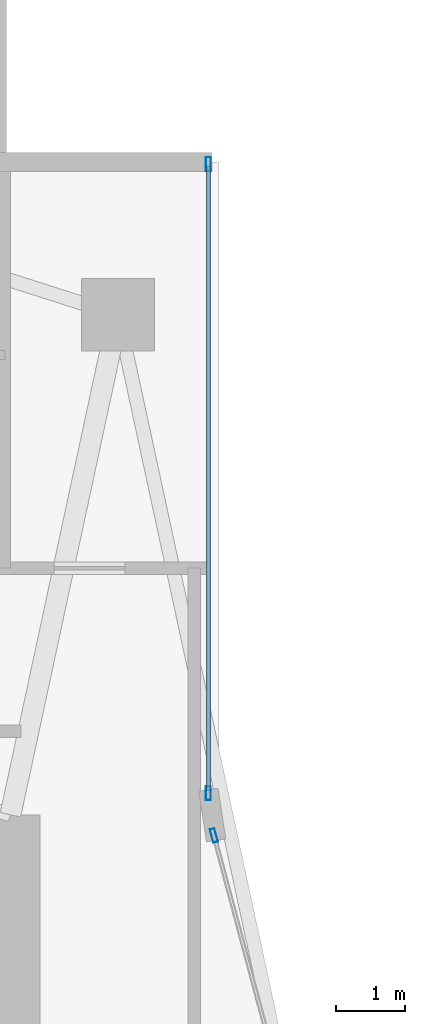
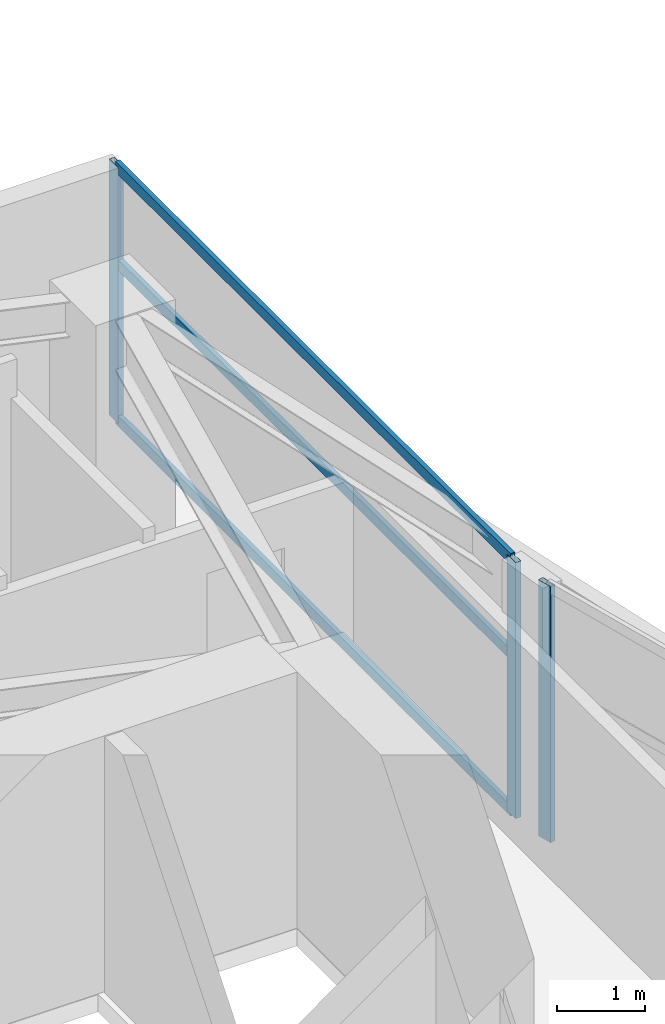
# One storey, part 18 of 28: 6 members, 2 elements without a shape of their own.
"""IFC4 building model written with IfcOpenShell, lengths in metres."""

from ifc_helpers import new_model, si_unit, direction, frame, origin, origin_2d, place, context, subcontext, project, spatial, hollow_rectangle, extrude, material, layer, layer_set, material_profile, profile_set, type_object, element, aggregate, save


model = new_model("IFC4")

# Units and contexts
model_context = context("Model", 3, precision=1e-05, world=origin(), true_north=direction((0.0, 1.0)))
body_context = subcontext(model_context, "Body", "Model", "MODEL_VIEW")
ifc_project = project(units=[si_unit("LENGTHUNIT", "METRE"), si_unit("AREAUNIT", "SQUARE_METRE"), si_unit("VOLUMEUNIT", "CUBIC_METRE"), si_unit("PLANEANGLEUNIT", "RADIAN"), si_unit("MASSUNIT", "GRAM", prefix="KILO")], contexts=[model_context])

# Site, building, storey
site_placement = place(None, origin())
site = spatial("IfcSite", under=ifc_project, at=site_placement, CompositionType="ELEMENT")
building_placement = place(site_placement, origin())
building = spatial("IfcBuilding", under=site, at=building_placement, Name="Calvorn Quay Hotel", CompositionType="ELEMENT")
storey_placement = place(building_placement, frame((0.0, 0.0, 127.800048828125)))
storey = spatial("IfcBuildingStorey", under=building, at=storey_placement, Name="L31", CompositionType="ELEMENT", Elevation=127.800048828125)

# Curtain wall, member
ifc_material_1 = material(Name="Pale Anodised Aluminium and Low-E Glass", Category="aluminium")
ifc_layer = layer(ifc_material_1, 0.219970703125)
ifc_layer_set = layer_set([ifc_layer], Name="CW-SYS-Z2")
curtain_wall_type = type_object("IfcCurtainWallType", Name="CW-SYS-Z2", PredefinedType="NOTDEFINED", material=ifc_layer_set)
curtain_wall_1_placement = place(storey_placement, origin())
curtain_wall_1 = element("IfcCurtainWall", 1, at=curtain_wall_1_placement, inside=storey, type_object=curtain_wall_type, Name="Inner Court Curtain Wall L31-IC1", PredefinedType="NOTDEFINED")
ifc_material_2 = material(Name="Pale Anodised Aluminium 6063-T6", Category="aluminium")
ifc_material_profile_1 = material_profile(ifc_material_2, hollow_rectangle(XDim=0.070068359375, YDim=0.199951171875, WallThickness=0.00390625, at=origin_2d()), Name="ALU-M200x70x4")
ifc_profile_set_1 = profile_set([ifc_material_profile_1], Name="Pale Anodised Aluminium 6063-T6")
member_type_1 = type_object("IfcMemberType", Name="CW-SYS-Z2-MUL", PredefinedType="MULLION", material=ifc_profile_set_1)
member_1_placement = place(storey_placement, frame((17.9296875, 38.10107421875, 0.0), z_axis=(0.0, 0.0, 1.0), x_axis=(-0.96593652056, -0.25877913024, 0.0)))
member_1 = element("IfcMember", 2, at=member_1_placement, type_object=member_type_1, Name="CW-L31-IC1 mullion 2", PredefinedType="MULLION", context=body_context, shape_type="SweptSolid", body=[
    extrude(hollow_rectangle(XDim=0.070068359375, YDim=0.199951171875, WallThickness=0.00390625, at=origin_2d()), origin(), (0.0, 0.0, 1.0), 3.56005859375),
])
aggregate(curtain_wall_1, [member_1])

# Curtain wall, members
curtain_wall_2_placement = place(storey_placement, origin())
curtain_wall_2 = element("IfcCurtainWall", 3, at=curtain_wall_2_placement, inside=storey, type_object=curtain_wall_type, Name="Inner Court Curtain Wall L31-IC2", PredefinedType="NOTDEFINED")
member_2_placement = place(storey_placement, frame((17.85009765625, 38.7099609375, 0.0), z_axis=(0.0, 0.0, 1.0), x_axis=(-1.0, 0.0, 0.0)))
member_2 = element("IfcMember", 4, at=member_2_placement, type_object=member_type_1, Name="CW-L31-IC2 mullion 1", PredefinedType="MULLION", context=body_context, shape_type="SweptSolid", body=[
    extrude(hollow_rectangle(XDim=0.070068359375, YDim=0.199951171875, WallThickness=0.00390625, at=origin_2d()), origin(), (0.0, 0.0, 1.0), 3.56005859375),
])
member_3_placement = place(storey_placement, frame((17.85009765625, 47.77001953125, 0.0), z_axis=(0.0, 0.0, 1.0), x_axis=(-1.0, 0.0, 0.0)))
member_3 = element("IfcMember", 5, at=member_3_placement, type_object=member_type_1, Name="CW-L31-IC2 mullion 2", PredefinedType="MULLION", context=body_context, shape_type="SweptSolid", body=[
    extrude(hollow_rectangle(XDim=0.070068359375, YDim=0.199951171875, WallThickness=0.00390625, at=origin_2d()), origin(), (0.0, 0.0, 1.0), 3.56005859375),
])
ifc_material_3 = material(Name="Pale Anodised Aluminium 6063-T6", Category="aluminium")
ifc_material_profile_2 = material_profile(ifc_material_3, hollow_rectangle(XDim=0.06005859375, YDim=0.14990234375, WallThickness=0.00341796875, at=origin_2d()), Name="ALU-T150x60x3.5")
ifc_profile_set_2 = profile_set([ifc_material_profile_2], Name="Pale Anodised Aluminium 6063-T6")
member_type_2 = type_object("IfcMemberType", Name="CW-SYS-Z2-TRN", PredefinedType="USERDEFINED", material=ifc_profile_set_2)
member_4_placement = place(storey_placement, frame((17.85009765625, 38.739990234375, 0.030029296875), z_axis=(0.0, 1.0, 0.0), x_axis=(-1.0, 0.0, 0.0)))
member_4 = element("IfcMember", 6, at=member_4_placement, type_object=member_type_2, Name="CW-L31-IC2 transom 1.1", ObjectType="TRANSOM", PredefinedType="USERDEFINED", context=body_context, shape_type="SweptSolid", body=[
    extrude(hollow_rectangle(XDim=0.06005859375, YDim=0.14990234375, WallThickness=0.00341796875, at=origin_2d()), origin(), (0.0, 0.0, 1.0), 9.0),
])
member_5_placement = place(storey_placement, frame((17.85009765625, 38.739990234375, 2.199951171875), z_axis=(0.0, 1.0, 0.0), x_axis=(-1.0, 0.0, 0.0)))
member_5 = element("IfcMember", 7, at=member_5_placement, type_object=member_type_2, Name="CW-L31-IC2 transom 1.2", ObjectType="TRANSOM", PredefinedType="USERDEFINED", context=body_context, shape_type="SweptSolid", body=[
    extrude(hollow_rectangle(XDim=0.06005859375, YDim=0.14990234375, WallThickness=0.00341796875, at=origin_2d()), origin(), (0.0, 0.0, 1.0), 9.0),
])
member_6_placement = place(storey_placement, frame((17.85009765625, 38.739990234375, 3.530029296875), z_axis=(0.0, 1.0, 0.0), x_axis=(-1.0, 0.0, 0.0)))
member_6 = element("IfcMember", 8, at=member_6_placement, type_object=member_type_2, Name="CW-L31-IC2 transom 1.3", ObjectType="TRANSOM", PredefinedType="USERDEFINED", context=body_context, shape_type="SweptSolid", body=[
    extrude(hollow_rectangle(XDim=0.06005859375, YDim=0.14990234375, WallThickness=0.00341796875, at=origin_2d()), origin(), (0.0, 0.0, 1.0), 9.0),
])
aggregate(curtain_wall_2, [member_2, member_3, member_4, member_5, member_6])

save(model, "model.ifc")
